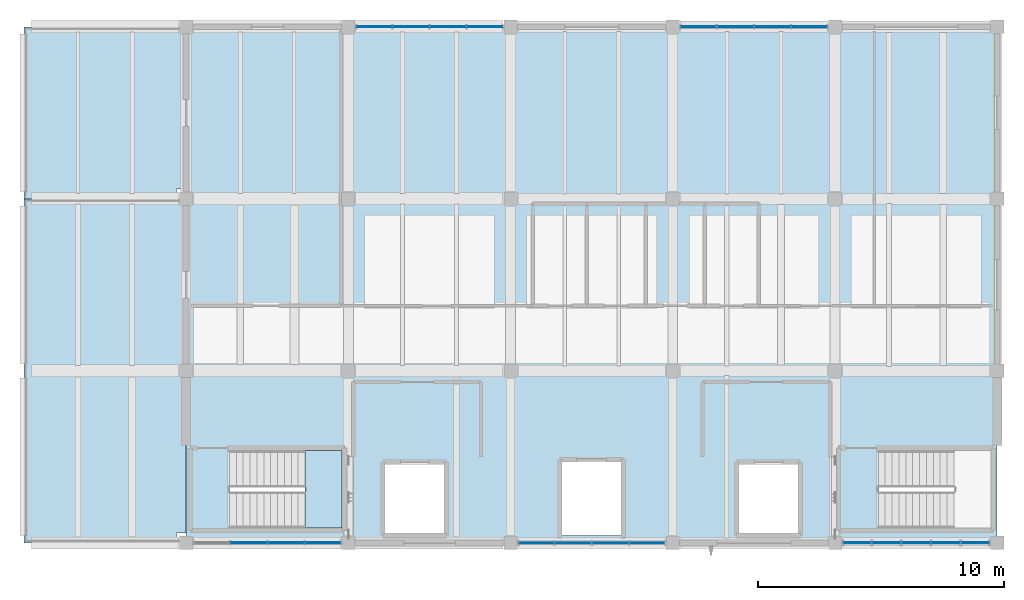
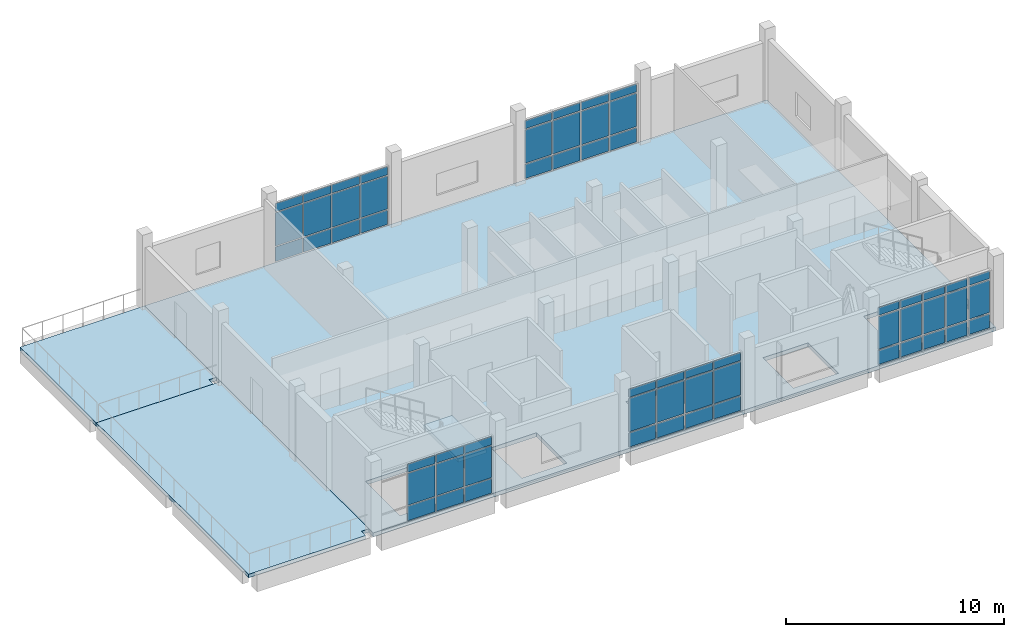
# One storey, part 6 of 12: 60 plates, 4 slabs, 6 elements without a shape of their own.
"""IFC4 building model written with IfcOpenShell, lengths in metres."""

from ifc_helpers import new_model, si_unit, direction, frame, origin, origin_2d, place, context, subcontext, project, spatial, polyline, rectangle, outline, extrude, material, layer, layer_set, type_object, element, aggregate, save


model = new_model("IFC4")

# Units and contexts
model_context = context("Model", 3, precision=1e-05, world=origin(), true_north=direction((0.0, 1.0)))
body_context = subcontext(model_context, "Body", "Model", "MODEL_VIEW")
ifc_project = project(units=[si_unit("LENGTHUNIT", "METRE"), si_unit("AREAUNIT", "SQUARE_METRE"), si_unit("VOLUMEUNIT", "CUBIC_METRE"), si_unit("PLANEANGLEUNIT", "RADIAN"), si_unit("MASSUNIT", "GRAM", prefix="KILO")], contexts=[model_context])

# Site, building, storey
site_placement = place(None, origin())
site = spatial("IfcSite", under=ifc_project, at=site_placement, CompositionType="ELEMENT")
building_placement = place(site_placement, origin())
building = spatial("IfcBuilding", under=site, at=building_placement, Name="Ciguamira Faculty of Natural Sciences", CompositionType="ELEMENT")
storey_placement = place(building_placement, frame((0.0, 0.0, 37.800048828125)))
storey = spatial("IfcBuildingStorey", under=building, at=storey_placement, Name="L09", CompositionType="ELEMENT", Elevation=37.800048828125)

# Curtain wall, plates
ifc_material_1 = material(Name="Anodized aluminium curtain wall", Category="aluminium")
curtain_wall_type_1 = type_object("IfcCurtainWallType", Name="CurtainWall_CW-05", PredefinedType="USERDEFINED", material=ifc_material_1)
curtain_wall_1_placement = place(storey_placement, origin())
curtain_wall_1 = element("IfcCurtainWall", 1, at=curtain_wall_1_placement, inside=storey, type_object=curtain_wall_type_1, Name="L09 unitised curtain wall 0161", ObjectType="UNITISED CURTAIN WALL", PredefinedType="USERDEFINED")
ifc_material_2 = material(Name="Low-E laminated solar glass", Category="glass")
ifc_layer_1 = layer(ifc_material_2, 0.028076171875, Name="Low-E laminated solar glass")
ifc_layer_set_1 = layer_set([ifc_layer_1], Name="Low-E laminated solar glass")
plate_type_1 = type_object("IfcPlateType", Name="CWPanel_CWP-01", PredefinedType="CURTAIN_PANEL", material=ifc_layer_set_1)
plate_1_placement = place(storey_placement, frame((84.748779296875, 94.0, 0.070068359375), z_axis=(0.0, 0.0, 1.0), x_axis=(1.0, 0.0, 0.0)))
plate_1 = element("IfcPlate", 2, at=plate_1_placement, type_object=plate_type_1, Name="CW-05 panel 1.1", PredefinedType="CURTAIN_PANEL", context=body_context, shape_type="SweptSolid", body=[
    extrude(rectangle(XDim=1.407470703125, YDim=0.028076171875, at=origin_2d()), origin(), (0.0, 0.0, 1.0), 0.794921875),
])
plate_2_placement = place(storey_placement, frame((84.748779296875, 94.0, 0.93505859375), z_axis=(0.0, 0.0, 1.0), x_axis=(1.0, 0.0, 0.0)))
plate_2 = element("IfcPlate", 3, at=plate_2_placement, type_object=plate_type_1, Name="CW-05 panel 1.2", PredefinedType="CURTAIN_PANEL", context=body_context, shape_type="SweptSolid", body=[
    extrude(rectangle(XDim=1.407470703125, YDim=0.028076171875, at=origin_2d()), origin(), (0.0, 0.0, 1.0), 1.864990234375),
])
plate_3_placement = place(storey_placement, frame((84.748779296875, 94.0, 2.8701171875), z_axis=(0.0, 0.0, 1.0), x_axis=(1.0, 0.0, 0.0)))
plate_3 = element("IfcPlate", 4, at=plate_3_placement, type_object=plate_type_1, Name="CW-05 panel 1.3", PredefinedType="CURTAIN_PANEL", context=body_context, shape_type="SweptSolid", body=[
    extrude(rectangle(XDim=1.407470703125, YDim=0.028076171875, at=origin_2d()), origin(), (0.0, 0.0, 1.0), 0.445068359375),
])
plate_4_placement = place(storey_placement, frame((86.24365234375, 94.0, 0.070068359375), z_axis=(0.0, 0.0, 1.0), x_axis=(1.0, 0.0, 0.0)))
plate_4 = element("IfcPlate", 5, at=plate_4_placement, type_object=plate_type_1, Name="CW-05 panel 2.1", PredefinedType="CURTAIN_PANEL", context=body_context, shape_type="SweptSolid", body=[
    extrude(rectangle(XDim=1.4423828125, YDim=0.028076171875, at=origin_2d()), origin(), (0.0, 0.0, 1.0), 0.794921875),
])
plate_5_placement = place(storey_placement, frame((86.24365234375, 94.0, 0.93505859375), z_axis=(0.0, 0.0, 1.0), x_axis=(1.0, 0.0, 0.0)))
plate_5 = element("IfcPlate", 6, at=plate_5_placement, type_object=plate_type_1, Name="CW-05 panel 2.2", PredefinedType="CURTAIN_PANEL", context=body_context, shape_type="SweptSolid", body=[
    extrude(rectangle(XDim=1.4423828125, YDim=0.028076171875, at=origin_2d()), origin(), (0.0, 0.0, 1.0), 1.864990234375),
])
plate_6_placement = place(storey_placement, frame((86.24365234375, 94.0, 2.8701171875), z_axis=(0.0, 0.0, 1.0), x_axis=(1.0, 0.0, 0.0)))
plate_6 = element("IfcPlate", 7, at=plate_6_placement, type_object=plate_type_1, Name="CW-05 panel 2.3", PredefinedType="CURTAIN_PANEL", context=body_context, shape_type="SweptSolid", body=[
    extrude(rectangle(XDim=1.4423828125, YDim=0.028076171875, at=origin_2d()), origin(), (0.0, 0.0, 1.0), 0.445068359375),
])
plate_7_placement = place(storey_placement, frame((87.75634765625, 94.0, 0.070068359375), z_axis=(0.0, 0.0, 1.0), x_axis=(1.0, 0.0, 0.0)))
plate_7 = element("IfcPlate", 8, at=plate_7_placement, type_object=plate_type_1, Name="CW-05 panel 3.1", PredefinedType="CURTAIN_PANEL", context=body_context, shape_type="SweptSolid", body=[
    extrude(rectangle(XDim=1.4423828125, YDim=0.028076171875, at=origin_2d()), origin(), (0.0, 0.0, 1.0), 0.794921875),
])
plate_8_placement = place(storey_placement, frame((87.75634765625, 94.0, 0.93505859375), z_axis=(0.0, 0.0, 1.0), x_axis=(1.0, 0.0, 0.0)))
plate_8 = element("IfcPlate", 9, at=plate_8_placement, type_object=plate_type_1, Name="CW-05 panel 3.2", PredefinedType="CURTAIN_PANEL", context=body_context, shape_type="SweptSolid", body=[
    extrude(rectangle(XDim=1.4423828125, YDim=0.028076171875, at=origin_2d()), origin(), (0.0, 0.0, 1.0), 1.864990234375),
])
plate_9_placement = place(storey_placement, frame((87.75634765625, 94.0, 2.8701171875), z_axis=(0.0, 0.0, 1.0), x_axis=(1.0, 0.0, 0.0)))
plate_9 = element("IfcPlate", 10, at=plate_9_placement, type_object=plate_type_1, Name="CW-05 panel 3.3", PredefinedType="CURTAIN_PANEL", context=body_context, shape_type="SweptSolid", body=[
    extrude(rectangle(XDim=1.4423828125, YDim=0.028076171875, at=origin_2d()), origin(), (0.0, 0.0, 1.0), 0.445068359375),
])
plate_10_placement = place(storey_placement, frame((89.251220703125, 94.0, 0.070068359375), z_axis=(0.0, 0.0, 1.0), x_axis=(1.0, 0.0, 0.0)))
plate_10 = element("IfcPlate", 11, at=plate_10_placement, type_object=plate_type_1, Name="CW-05 panel 4.1", PredefinedType="CURTAIN_PANEL", context=body_context, shape_type="SweptSolid", body=[
    extrude(rectangle(XDim=1.407470703125, YDim=0.028076171875, at=origin_2d()), origin(), (0.0, 0.0, 1.0), 0.794921875),
])
plate_11_placement = place(storey_placement, frame((89.251220703125, 94.0, 0.93505859375), z_axis=(0.0, 0.0, 1.0), x_axis=(1.0, 0.0, 0.0)))
plate_11 = element("IfcPlate", 12, at=plate_11_placement, type_object=plate_type_1, Name="CW-05 panel 4.2", PredefinedType="CURTAIN_PANEL", context=body_context, shape_type="SweptSolid", body=[
    extrude(rectangle(XDim=1.407470703125, YDim=0.028076171875, at=origin_2d()), origin(), (0.0, 0.0, 1.0), 1.864990234375),
])
plate_12_placement = place(storey_placement, frame((89.251220703125, 94.0, 2.8701171875), z_axis=(0.0, 0.0, 1.0), x_axis=(1.0, 0.0, 0.0)))
plate_12 = element("IfcPlate", 13, at=plate_12_placement, type_object=plate_type_1, Name="CW-05 panel 4.3", PredefinedType="CURTAIN_PANEL", context=body_context, shape_type="SweptSolid", body=[
    extrude(rectangle(XDim=1.407470703125, YDim=0.028076171875, at=origin_2d()), origin(), (0.0, 0.0, 1.0), 0.445068359375),
])
aggregate(curtain_wall_1, [plate_1, plate_2, plate_3, plate_4, plate_5, plate_6, plate_7, plate_8, plate_9, plate_10, plate_11, plate_12])

curtain_wall_type_2 = type_object("IfcCurtainWallType", Name="CurtainWall_CW-07", PredefinedType="USERDEFINED", material=ifc_material_1)
curtain_wall_2_placement = place(storey_placement, origin())
curtain_wall_2 = element("IfcCurtainWall", 14, at=curtain_wall_2_placement, inside=storey, type_object=curtain_wall_type_2, Name="L09 unitised curtain wall 0163", ObjectType="UNITISED CURTAIN WALL", PredefinedType="USERDEFINED")
plate_13_placement = place(storey_placement, frame((78.146240234375, 115.0, 0.059814453125), z_axis=(0.0, 0.0, 1.0), x_axis=(1.0, 0.0, 0.0)))
plate_13 = element("IfcPlate", 15, at=plate_13_placement, type_object=plate_type_1, Name="CW-07 panel 1.1", PredefinedType="CURTAIN_PANEL", context=body_context, shape_type="SweptSolid", body=[
    extrude(rectangle(XDim=1.422607421875, YDim=0.028076171875, at=origin_2d()), origin(), (0.0, 0.0, 1.0), 0.81005859375),
])
plate_14_placement = place(storey_placement, frame((78.146240234375, 115.0, 0.929931640625), z_axis=(0.0, 0.0, 1.0), x_axis=(1.0, 0.0, 0.0)))
plate_14 = element("IfcPlate", 16, at=plate_14_placement, type_object=plate_type_1, Name="CW-07 panel 1.2", PredefinedType="CURTAIN_PANEL", context=body_context, shape_type="SweptSolid", body=[
    extrude(rectangle(XDim=1.422607421875, YDim=0.028076171875, at=origin_2d()), origin(), (0.0, 0.0, 1.0), 1.85498046875),
])
plate_15_placement = place(storey_placement, frame((78.146240234375, 115.0, 2.844970703125), z_axis=(0.0, 0.0, 1.0), x_axis=(1.0, 0.0, 0.0)))
plate_15 = element("IfcPlate", 17, at=plate_15_placement, type_object=plate_type_1, Name="CW-07 panel 1.3", PredefinedType="CURTAIN_PANEL", context=body_context, shape_type="SweptSolid", body=[
    extrude(rectangle(XDim=1.422607421875, YDim=0.028076171875, at=origin_2d()), origin(), (0.0, 0.0, 1.0), 0.4599609375),
])
plate_16_placement = place(storey_placement, frame((79.643798828125, 115.0, 0.059814453125), z_axis=(0.0, 0.0, 1.0), x_axis=(1.0, 0.0, 0.0)))
plate_16 = element("IfcPlate", 18, at=plate_16_placement, type_object=plate_type_1, Name="CW-07 panel 2.1", PredefinedType="CURTAIN_PANEL", context=body_context, shape_type="SweptSolid", body=[
    extrude(rectangle(XDim=1.452392578125, YDim=0.028076171875, at=origin_2d()), origin(), (0.0, 0.0, 1.0), 0.81005859375),
])
plate_17_placement = place(storey_placement, frame((79.643798828125, 115.0, 0.929931640625), z_axis=(0.0, 0.0, 1.0), x_axis=(1.0, 0.0, 0.0)))
plate_17 = element("IfcPlate", 19, at=plate_17_placement, type_object=plate_type_1, Name="CW-07 panel 2.2", PredefinedType="CURTAIN_PANEL", context=body_context, shape_type="SweptSolid", body=[
    extrude(rectangle(XDim=1.452392578125, YDim=0.028076171875, at=origin_2d()), origin(), (0.0, 0.0, 1.0), 1.85498046875),
])
plate_18_placement = place(storey_placement, frame((79.643798828125, 115.0, 2.844970703125), z_axis=(0.0, 0.0, 1.0), x_axis=(1.0, 0.0, 0.0)))
plate_18 = element("IfcPlate", 20, at=plate_18_placement, type_object=plate_type_1, Name="CW-07 panel 2.3", PredefinedType="CURTAIN_PANEL", context=body_context, shape_type="SweptSolid", body=[
    extrude(rectangle(XDim=1.452392578125, YDim=0.028076171875, at=origin_2d()), origin(), (0.0, 0.0, 1.0), 0.4599609375),
])
plate_19_placement = place(storey_placement, frame((81.15625, 115.0, 0.059814453125), z_axis=(0.0, 0.0, 1.0), x_axis=(1.0, 0.0, 0.0)))
plate_19 = element("IfcPlate", 21, at=plate_19_placement, type_object=plate_type_1, Name="CW-07 panel 3.1", PredefinedType="CURTAIN_PANEL", context=body_context, shape_type="SweptSolid", body=[
    extrude(rectangle(XDim=1.452392578125, YDim=0.028076171875, at=origin_2d()), origin(), (0.0, 0.0, 1.0), 0.81005859375),
])
plate_20_placement = place(storey_placement, frame((81.15625, 115.0, 0.929931640625), z_axis=(0.0, 0.0, 1.0), x_axis=(1.0, 0.0, 0.0)))
plate_20 = element("IfcPlate", 22, at=plate_20_placement, type_object=plate_type_1, Name="CW-07 panel 3.2", PredefinedType="CURTAIN_PANEL", context=body_context, shape_type="SweptSolid", body=[
    extrude(rectangle(XDim=1.452392578125, YDim=0.028076171875, at=origin_2d()), origin(), (0.0, 0.0, 1.0), 1.85498046875),
])
plate_21_placement = place(storey_placement, frame((81.15625, 115.0, 2.844970703125), z_axis=(0.0, 0.0, 1.0), x_axis=(1.0, 0.0, 0.0)))
plate_21 = element("IfcPlate", 23, at=plate_21_placement, type_object=plate_type_1, Name="CW-07 panel 3.3", PredefinedType="CURTAIN_PANEL", context=body_context, shape_type="SweptSolid", body=[
    extrude(rectangle(XDim=1.452392578125, YDim=0.028076171875, at=origin_2d()), origin(), (0.0, 0.0, 1.0), 0.4599609375),
])
plate_22_placement = place(storey_placement, frame((82.65380859375, 115.0, 0.059814453125), z_axis=(0.0, 0.0, 1.0), x_axis=(1.0, 0.0, 0.0)))
plate_22 = element("IfcPlate", 24, at=plate_22_placement, type_object=plate_type_1, Name="CW-07 panel 4.1", PredefinedType="CURTAIN_PANEL", context=body_context, shape_type="SweptSolid", body=[
    extrude(rectangle(XDim=1.422607421875, YDim=0.028076171875, at=origin_2d()), origin(), (0.0, 0.0, 1.0), 0.81005859375),
])
plate_23_placement = place(storey_placement, frame((82.65380859375, 115.0, 0.929931640625), z_axis=(0.0, 0.0, 1.0), x_axis=(1.0, 0.0, 0.0)))
plate_23 = element("IfcPlate", 25, at=plate_23_placement, type_object=plate_type_1, Name="CW-07 panel 4.2", PredefinedType="CURTAIN_PANEL", context=body_context, shape_type="SweptSolid", body=[
    extrude(rectangle(XDim=1.422607421875, YDim=0.028076171875, at=origin_2d()), origin(), (0.0, 0.0, 1.0), 1.85498046875),
])
plate_24_placement = place(storey_placement, frame((82.65380859375, 115.0, 2.844970703125), z_axis=(0.0, 0.0, 1.0), x_axis=(1.0, 0.0, 0.0)))
plate_24 = element("IfcPlate", 26, at=plate_24_placement, type_object=plate_type_1, Name="CW-07 panel 4.3", PredefinedType="CURTAIN_PANEL", context=body_context, shape_type="SweptSolid", body=[
    extrude(rectangle(XDim=1.422607421875, YDim=0.028076171875, at=origin_2d()), origin(), (0.0, 0.0, 1.0), 0.4599609375),
])
aggregate(curtain_wall_2, [plate_13, plate_14, plate_15, plate_16, plate_17, plate_18, plate_19, plate_20, plate_21, plate_22, plate_23, plate_24])

curtain_wall_type_3 = type_object("IfcCurtainWallType", Name="CurtainWall_CW-04", PredefinedType="USERDEFINED", material=ifc_material_1)
curtain_wall_3_placement = place(storey_placement, origin())
curtain_wall_3 = element("IfcCurtainWall", 27, at=curtain_wall_3_placement, inside=storey, type_object=curtain_wall_type_3, Name="L09 unitised curtain wall 0160", ObjectType="UNITISED CURTAIN WALL", PredefinedType="USERDEFINED")
ifc_layer_2 = layer(ifc_material_2, 0.035888671875, Name="Low-E laminated solar glass")
ifc_layer_set_2 = layer_set([ifc_layer_2], Name="Low-E laminated solar glass")
plate_type_2 = type_object("IfcPlateType", Name="CWPanel_CWP-02", PredefinedType="CURTAIN_PANEL", material=ifc_layer_set_2)
plate_25_placement = place(storey_placement, frame((73.043701171875, 94.0, 0.059814453125), z_axis=(0.0, 0.0, 1.0), x_axis=(1.0, 0.0, 0.0)))
plate_25 = element("IfcPlate", 28, at=plate_25_placement, type_object=plate_type_2, Name="CW-04 panel 2.1", PredefinedType="CURTAIN_PANEL", context=body_context, shape_type="SweptSolid", body=[
    extrude(rectangle(XDim=1.452392578125, YDim=0.035888671875, at=origin_2d()), origin(), (0.0, 0.0, 1.0), 0.81005859375),
])
plate_26_placement = place(storey_placement, frame((73.043701171875, 94.0, 0.929931640625), z_axis=(0.0, 0.0, 1.0), x_axis=(1.0, 0.0, 0.0)))
plate_26 = element("IfcPlate", 29, at=plate_26_placement, type_object=plate_type_2, Name="CW-04 panel 2.2", PredefinedType="CURTAIN_PANEL", context=body_context, shape_type="SweptSolid", body=[
    extrude(rectangle(XDim=1.452392578125, YDim=0.035888671875, at=origin_2d()), origin(), (0.0, 0.0, 1.0), 1.77490234375),
])
plate_27_placement = place(storey_placement, frame((73.043701171875, 94.0, 2.764892578125), z_axis=(0.0, 0.0, 1.0), x_axis=(1.0, 0.0, 0.0)))
plate_27 = element("IfcPlate", 30, at=plate_27_placement, type_object=plate_type_2, Name="CW-04 panel 2.3", PredefinedType="CURTAIN_PANEL", context=body_context, shape_type="SweptSolid", body=[
    extrude(rectangle(XDim=1.452392578125, YDim=0.035888671875, at=origin_2d()), origin(), (0.0, 0.0, 1.0), 0.4599609375),
])
plate_28_placement = place(storey_placement, frame((74.55615234375, 94.0, 0.059814453125), z_axis=(0.0, 0.0, 1.0), x_axis=(1.0, 0.0, 0.0)))
plate_28 = element("IfcPlate", 31, at=plate_28_placement, type_object=plate_type_2, Name="CW-04 panel 3.1", PredefinedType="CURTAIN_PANEL", context=body_context, shape_type="SweptSolid", body=[
    extrude(rectangle(XDim=1.452392578125, YDim=0.035888671875, at=origin_2d()), origin(), (0.0, 0.0, 1.0), 0.81005859375),
])
plate_29_placement = place(storey_placement, frame((74.55615234375, 94.0, 0.929931640625), z_axis=(0.0, 0.0, 1.0), x_axis=(1.0, 0.0, 0.0)))
plate_29 = element("IfcPlate", 32, at=plate_29_placement, type_object=plate_type_2, Name="CW-04 panel 3.2", PredefinedType="CURTAIN_PANEL", context=body_context, shape_type="SweptSolid", body=[
    extrude(rectangle(XDim=1.452392578125, YDim=0.035888671875, at=origin_2d()), origin(), (0.0, 0.0, 1.0), 1.77490234375),
])
plate_30_placement = place(storey_placement, frame((74.55615234375, 94.0, 2.764892578125), z_axis=(0.0, 0.0, 1.0), x_axis=(1.0, 0.0, 0.0)))
plate_30 = element("IfcPlate", 33, at=plate_30_placement, type_object=plate_type_2, Name="CW-04 panel 3.3", PredefinedType="CURTAIN_PANEL", context=body_context, shape_type="SweptSolid", body=[
    extrude(rectangle(XDim=1.452392578125, YDim=0.035888671875, at=origin_2d()), origin(), (0.0, 0.0, 1.0), 0.4599609375),
])
plate_31_placement = place(storey_placement, frame((76.0537109375, 94.0, 0.059814453125), z_axis=(0.0, 0.0, 1.0), x_axis=(1.0, 0.0, 0.0)))
plate_31 = element("IfcPlate", 34, at=plate_31_placement, type_object=plate_type_2, Name="CW-04 panel 4.1", PredefinedType="CURTAIN_PANEL", context=body_context, shape_type="SweptSolid", body=[
    extrude(rectangle(XDim=1.422607421875, YDim=0.035888671875, at=origin_2d()), origin(), (0.0, 0.0, 1.0), 0.81005859375),
])
plate_32_placement = place(storey_placement, frame((76.0537109375, 94.0, 0.929931640625), z_axis=(0.0, 0.0, 1.0), x_axis=(1.0, 0.0, 0.0)))
plate_32 = element("IfcPlate", 35, at=plate_32_placement, type_object=plate_type_2, Name="CW-04 panel 4.2", PredefinedType="CURTAIN_PANEL", context=body_context, shape_type="SweptSolid", body=[
    extrude(rectangle(XDim=1.422607421875, YDim=0.035888671875, at=origin_2d()), origin(), (0.0, 0.0, 1.0), 1.77490234375),
])
plate_33_placement = place(storey_placement, frame((76.0537109375, 94.0, 2.764892578125), z_axis=(0.0, 0.0, 1.0), x_axis=(1.0, 0.0, 0.0)))
plate_33 = element("IfcPlate", 36, at=plate_33_placement, type_object=plate_type_2, Name="CW-04 panel 4.3", PredefinedType="CURTAIN_PANEL", context=body_context, shape_type="SweptSolid", body=[
    extrude(rectangle(XDim=1.422607421875, YDim=0.035888671875, at=origin_2d()), origin(), (0.0, 0.0, 1.0), 0.4599609375),
])
aggregate(curtain_wall_3, [plate_25, plate_26, plate_27, plate_28, plate_29, plate_30, plate_31, plate_32, plate_33])

curtain_wall_type_4 = type_object("IfcCurtainWallType", Name="CurtainWall_CW-06", PredefinedType="USERDEFINED", material=ifc_material_1)
curtain_wall_4_placement = place(storey_placement, origin())
curtain_wall_4 = element("IfcCurtainWall", 37, at=curtain_wall_4_placement, inside=storey, type_object=curtain_wall_type_4, Name="L09 unitised curtain wall 0162", ObjectType="UNITISED CURTAIN WALL", PredefinedType="USERDEFINED")
plate_34_placement = place(storey_placement, frame((97.800048828125, 94.0, 0.080078125), z_axis=(0.0, 0.0, 1.0), x_axis=(1.0, 0.0, 0.0)))
plate_34 = element("IfcPlate", 38, at=plate_34_placement, type_object=plate_type_2, Name="CW-06 panel 1.1", PredefinedType="CURTAIN_PANEL", context=body_context, shape_type="SweptSolid", body=[
    extrude(rectangle(XDim=1.090087890625, YDim=0.035888671875, at=origin_2d()), origin(), (0.0, 0.0, 1.0), 0.780029296875),
])
plate_35_placement = place(storey_placement, frame((97.800048828125, 94.0, 0.93994140625), z_axis=(0.0, 0.0, 1.0), x_axis=(1.0, 0.0, 0.0)))
plate_35 = element("IfcPlate", 39, at=plate_35_placement, type_object=plate_type_2, Name="CW-06 panel 1.2", PredefinedType="CURTAIN_PANEL", context=body_context, shape_type="SweptSolid", body=[
    extrude(rectangle(XDim=1.090087890625, YDim=0.035888671875, at=origin_2d()), origin(), (0.0, 0.0, 1.0), 1.81494140625),
])
plate_36_placement = place(storey_placement, frame((97.800048828125, 94.0, 2.8349609375), z_axis=(0.0, 0.0, 1.0), x_axis=(1.0, 0.0, 0.0)))
plate_36 = element("IfcPlate", 40, at=plate_36_placement, type_object=plate_type_2, Name="CW-06 panel 1.3", PredefinedType="CURTAIN_PANEL", context=body_context, shape_type="SweptSolid", body=[
    extrude(rectangle(XDim=1.090087890625, YDim=0.035888671875, at=origin_2d()), origin(), (0.0, 0.0, 1.0), 0.429931640625),
])
plate_37_placement = place(storey_placement, frame((98.989990234375, 94.0, 0.080078125), z_axis=(0.0, 0.0, 1.0), x_axis=(1.0, 0.0, 0.0)))
plate_37 = element("IfcPlate", 41, at=plate_37_placement, type_object=plate_type_2, Name="CW-06 panel 2.1", PredefinedType="CURTAIN_PANEL", context=body_context, shape_type="SweptSolid", body=[
    extrude(rectangle(XDim=1.1298828125, YDim=0.035888671875, at=origin_2d()), origin(), (0.0, 0.0, 1.0), 0.780029296875),
])
plate_38_placement = place(storey_placement, frame((98.989990234375, 94.0, 0.93994140625), z_axis=(0.0, 0.0, 1.0), x_axis=(1.0, 0.0, 0.0)))
plate_38 = element("IfcPlate", 42, at=plate_38_placement, type_object=plate_type_2, Name="CW-06 panel 2.2", PredefinedType="CURTAIN_PANEL", context=body_context, shape_type="SweptSolid", body=[
    extrude(rectangle(XDim=1.1298828125, YDim=0.035888671875, at=origin_2d()), origin(), (0.0, 0.0, 1.0), 1.81494140625),
])
plate_39_placement = place(storey_placement, frame((98.989990234375, 94.0, 2.8349609375), z_axis=(0.0, 0.0, 1.0), x_axis=(1.0, 0.0, 0.0)))
plate_39 = element("IfcPlate", 43, at=plate_39_placement, type_object=plate_type_2, Name="CW-06 panel 2.3", PredefinedType="CURTAIN_PANEL", context=body_context, shape_type="SweptSolid", body=[
    extrude(rectangle(XDim=1.1298828125, YDim=0.035888671875, at=origin_2d()), origin(), (0.0, 0.0, 1.0), 0.429931640625),
])
plate_40_placement = place(storey_placement, frame((100.199951171875, 94.0, 0.080078125), z_axis=(0.0, 0.0, 1.0), x_axis=(1.0, 0.0, 0.0)))
plate_40 = element("IfcPlate", 44, at=plate_40_placement, type_object=plate_type_2, Name="CW-06 panel 3.1", PredefinedType="CURTAIN_PANEL", context=body_context, shape_type="SweptSolid", body=[
    extrude(rectangle(XDim=1.1298828125, YDim=0.035888671875, at=origin_2d()), origin(), (0.0, 0.0, 1.0), 0.780029296875),
])
plate_41_placement = place(storey_placement, frame((100.199951171875, 94.0, 0.93994140625), z_axis=(0.0, 0.0, 1.0), x_axis=(1.0, 0.0, 0.0)))
plate_41 = element("IfcPlate", 45, at=plate_41_placement, type_object=plate_type_2, Name="CW-06 panel 3.2", PredefinedType="CURTAIN_PANEL", context=body_context, shape_type="SweptSolid", body=[
    extrude(rectangle(XDim=1.1298828125, YDim=0.035888671875, at=origin_2d()), origin(), (0.0, 0.0, 1.0), 1.81494140625),
])
plate_42_placement = place(storey_placement, frame((100.199951171875, 94.0, 2.8349609375), z_axis=(0.0, 0.0, 1.0), x_axis=(1.0, 0.0, 0.0)))
plate_42 = element("IfcPlate", 46, at=plate_42_placement, type_object=plate_type_2, Name="CW-06 panel 3.3", PredefinedType="CURTAIN_PANEL", context=body_context, shape_type="SweptSolid", body=[
    extrude(rectangle(XDim=1.1298828125, YDim=0.035888671875, at=origin_2d()), origin(), (0.0, 0.0, 1.0), 0.429931640625),
])
plate_43_placement = place(storey_placement, frame((101.409912109375, 94.0, 0.080078125), z_axis=(0.0, 0.0, 1.0), x_axis=(1.0, 0.0, 0.0)))
plate_43 = element("IfcPlate", 47, at=plate_43_placement, type_object=plate_type_2, Name="CW-06 panel 4.1", PredefinedType="CURTAIN_PANEL", context=body_context, shape_type="SweptSolid", body=[
    extrude(rectangle(XDim=1.1298828125, YDim=0.035888671875, at=origin_2d()), origin(), (0.0, 0.0, 1.0), 0.780029296875),
])
plate_44_placement = place(storey_placement, frame((101.409912109375, 94.0, 0.93994140625), z_axis=(0.0, 0.0, 1.0), x_axis=(1.0, 0.0, 0.0)))
plate_44 = element("IfcPlate", 48, at=plate_44_placement, type_object=plate_type_2, Name="CW-06 panel 4.2", PredefinedType="CURTAIN_PANEL", context=body_context, shape_type="SweptSolid", body=[
    extrude(rectangle(XDim=1.1298828125, YDim=0.035888671875, at=origin_2d()), origin(), (0.0, 0.0, 1.0), 1.81494140625),
])
plate_45_placement = place(storey_placement, frame((101.409912109375, 94.0, 2.8349609375), z_axis=(0.0, 0.0, 1.0), x_axis=(1.0, 0.0, 0.0)))
plate_45 = element("IfcPlate", 49, at=plate_45_placement, type_object=plate_type_2, Name="CW-06 panel 4.3", PredefinedType="CURTAIN_PANEL", context=body_context, shape_type="SweptSolid", body=[
    extrude(rectangle(XDim=1.1298828125, YDim=0.035888671875, at=origin_2d()), origin(), (0.0, 0.0, 1.0), 0.429931640625),
])
plate_46_placement = place(storey_placement, frame((102.60009765625, 94.0, 0.080078125), z_axis=(0.0, 0.0, 1.0), x_axis=(1.0, 0.0, 0.0)))
plate_46 = element("IfcPlate", 50, at=plate_46_placement, type_object=plate_type_2, Name="CW-06 panel 5.1", PredefinedType="CURTAIN_PANEL", context=body_context, shape_type="SweptSolid", body=[
    extrude(rectangle(XDim=1.090087890625, YDim=0.035888671875, at=origin_2d()), origin(), (0.0, 0.0, 1.0), 0.780029296875),
])
plate_47_placement = place(storey_placement, frame((102.60009765625, 94.0, 0.93994140625), z_axis=(0.0, 0.0, 1.0), x_axis=(1.0, 0.0, 0.0)))
plate_47 = element("IfcPlate", 51, at=plate_47_placement, type_object=plate_type_2, Name="CW-06 panel 5.2", PredefinedType="CURTAIN_PANEL", context=body_context, shape_type="SweptSolid", body=[
    extrude(rectangle(XDim=1.090087890625, YDim=0.035888671875, at=origin_2d()), origin(), (0.0, 0.0, 1.0), 1.81494140625),
])
plate_48_placement = place(storey_placement, frame((102.60009765625, 94.0, 2.8349609375), z_axis=(0.0, 0.0, 1.0), x_axis=(1.0, 0.0, 0.0)))
plate_48 = element("IfcPlate", 52, at=plate_48_placement, type_object=plate_type_2, Name="CW-06 panel 5.3", PredefinedType="CURTAIN_PANEL", context=body_context, shape_type="SweptSolid", body=[
    extrude(rectangle(XDim=1.090087890625, YDim=0.035888671875, at=origin_2d()), origin(), (0.0, 0.0, 1.0), 0.429931640625),
])
aggregate(curtain_wall_4, [plate_34, plate_35, plate_36, plate_37, plate_38, plate_39, plate_40, plate_41, plate_42, plate_43, plate_44, plate_45, plate_46, plate_47, plate_48])

curtain_wall_type_5 = type_object("IfcCurtainWallType", Name="CurtainWall_CW-08", PredefinedType="USERDEFINED", material=ifc_material_1)
curtain_wall_5_placement = place(storey_placement, origin())
curtain_wall_5 = element("IfcCurtainWall", 53, at=curtain_wall_5_placement, inside=storey, type_object=curtain_wall_type_5, Name="L09 unitised curtain wall 0164", ObjectType="UNITISED CURTAIN WALL", PredefinedType="USERDEFINED")
plate_49_placement = place(storey_placement, frame((91.3486328125, 115.0, 0.070068359375), z_axis=(0.0, 0.0, 1.0), x_axis=(1.0, 0.0, 0.0)))
plate_49 = element("IfcPlate", 54, at=plate_49_placement, type_object=plate_type_2, Name="CW-08 panel 1.1", PredefinedType="CURTAIN_PANEL", context=body_context, shape_type="SweptSolid", body=[
    extrude(rectangle(XDim=1.407470703125, YDim=0.035888671875, at=origin_2d()), origin(), (0.0, 0.0, 1.0), 0.794921875),
])
plate_50_placement = place(storey_placement, frame((91.3486328125, 115.0, 0.93505859375), z_axis=(0.0, 0.0, 1.0), x_axis=(1.0, 0.0, 0.0)))
plate_50 = element("IfcPlate", 55, at=plate_50_placement, type_object=plate_type_2, Name="CW-08 panel 1.2", PredefinedType="CURTAIN_PANEL", context=body_context, shape_type="SweptSolid", body=[
    extrude(rectangle(XDim=1.407470703125, YDim=0.035888671875, at=origin_2d()), origin(), (0.0, 0.0, 1.0), 1.864990234375),
])
plate_51_placement = place(storey_placement, frame((91.3486328125, 115.0, 2.8701171875), z_axis=(0.0, 0.0, 1.0), x_axis=(1.0, 0.0, 0.0)))
plate_51 = element("IfcPlate", 56, at=plate_51_placement, type_object=plate_type_2, Name="CW-08 panel 1.3", PredefinedType="CURTAIN_PANEL", context=body_context, shape_type="SweptSolid", body=[
    extrude(rectangle(XDim=1.407470703125, YDim=0.035888671875, at=origin_2d()), origin(), (0.0, 0.0, 1.0), 0.445068359375),
])
plate_52_placement = place(storey_placement, frame((92.84375, 115.0, 0.070068359375), z_axis=(0.0, 0.0, 1.0), x_axis=(1.0, 0.0, 0.0)))
plate_52 = element("IfcPlate", 57, at=plate_52_placement, type_object=plate_type_2, Name="CW-08 panel 2.1", PredefinedType="CURTAIN_PANEL", context=body_context, shape_type="SweptSolid", body=[
    extrude(rectangle(XDim=1.4423828125, YDim=0.035888671875, at=origin_2d()), origin(), (0.0, 0.0, 1.0), 0.794921875),
])
plate_53_placement = place(storey_placement, frame((92.84375, 115.0, 0.93505859375), z_axis=(0.0, 0.0, 1.0), x_axis=(1.0, 0.0, 0.0)))
plate_53 = element("IfcPlate", 58, at=plate_53_placement, type_object=plate_type_2, Name="CW-08 panel 2.2", PredefinedType="CURTAIN_PANEL", context=body_context, shape_type="SweptSolid", body=[
    extrude(rectangle(XDim=1.4423828125, YDim=0.035888671875, at=origin_2d()), origin(), (0.0, 0.0, 1.0), 1.864990234375),
])
plate_54_placement = place(storey_placement, frame((92.84375, 115.0, 2.8701171875), z_axis=(0.0, 0.0, 1.0), x_axis=(1.0, 0.0, 0.0)))
plate_54 = element("IfcPlate", 59, at=plate_54_placement, type_object=plate_type_2, Name="CW-08 panel 2.3", PredefinedType="CURTAIN_PANEL", context=body_context, shape_type="SweptSolid", body=[
    extrude(rectangle(XDim=1.4423828125, YDim=0.035888671875, at=origin_2d()), origin(), (0.0, 0.0, 1.0), 0.445068359375),
])
plate_55_placement = place(storey_placement, frame((94.356201171875, 115.0, 0.070068359375), z_axis=(0.0, 0.0, 1.0), x_axis=(1.0, 0.0, 0.0)))
plate_55 = element("IfcPlate", 60, at=plate_55_placement, type_object=plate_type_2, Name="CW-08 panel 3.1", PredefinedType="CURTAIN_PANEL", context=body_context, shape_type="SweptSolid", body=[
    extrude(rectangle(XDim=1.4423828125, YDim=0.035888671875, at=origin_2d()), origin(), (0.0, 0.0, 1.0), 0.794921875),
])
plate_56_placement = place(storey_placement, frame((94.356201171875, 115.0, 0.93505859375), z_axis=(0.0, 0.0, 1.0), x_axis=(1.0, 0.0, 0.0)))
plate_56 = element("IfcPlate", 61, at=plate_56_placement, type_object=plate_type_2, Name="CW-08 panel 3.2", PredefinedType="CURTAIN_PANEL", context=body_context, shape_type="SweptSolid", body=[
    extrude(rectangle(XDim=1.4423828125, YDim=0.035888671875, at=origin_2d()), origin(), (0.0, 0.0, 1.0), 1.864990234375),
])
plate_57_placement = place(storey_placement, frame((94.356201171875, 115.0, 2.8701171875), z_axis=(0.0, 0.0, 1.0), x_axis=(1.0, 0.0, 0.0)))
plate_57 = element("IfcPlate", 62, at=plate_57_placement, type_object=plate_type_2, Name="CW-08 panel 3.3", PredefinedType="CURTAIN_PANEL", context=body_context, shape_type="SweptSolid", body=[
    extrude(rectangle(XDim=1.4423828125, YDim=0.035888671875, at=origin_2d()), origin(), (0.0, 0.0, 1.0), 0.445068359375),
])
plate_58_placement = place(storey_placement, frame((95.851318359375, 115.0, 0.070068359375), z_axis=(0.0, 0.0, 1.0), x_axis=(1.0, 0.0, 0.0)))
plate_58 = element("IfcPlate", 63, at=plate_58_placement, type_object=plate_type_2, Name="CW-08 panel 4.1", PredefinedType="CURTAIN_PANEL", context=body_context, shape_type="SweptSolid", body=[
    extrude(rectangle(XDim=1.407470703125, YDim=0.035888671875, at=origin_2d()), origin(), (0.0, 0.0, 1.0), 0.794921875),
])
plate_59_placement = place(storey_placement, frame((95.851318359375, 115.0, 0.93505859375), z_axis=(0.0, 0.0, 1.0), x_axis=(1.0, 0.0, 0.0)))
plate_59 = element("IfcPlate", 64, at=plate_59_placement, type_object=plate_type_2, Name="CW-08 panel 4.2", PredefinedType="CURTAIN_PANEL", context=body_context, shape_type="SweptSolid", body=[
    extrude(rectangle(XDim=1.407470703125, YDim=0.035888671875, at=origin_2d()), origin(), (0.0, 0.0, 1.0), 1.864990234375),
])
plate_60_placement = place(storey_placement, frame((95.851318359375, 115.0, 2.8701171875), z_axis=(0.0, 0.0, 1.0), x_axis=(1.0, 0.0, 0.0)))
plate_60 = element("IfcPlate", 65, at=plate_60_placement, type_object=plate_type_2, Name="CW-08 panel 4.3", PredefinedType="CURTAIN_PANEL", context=body_context, shape_type="SweptSolid", body=[
    extrude(rectangle(XDim=1.407470703125, YDim=0.035888671875, at=origin_2d()), origin(), (0.0, 0.0, 1.0), 0.445068359375),
])
aggregate(curtain_wall_5, [plate_49, plate_50, plate_51, plate_52, plate_53, plate_54, plate_55, plate_56, plate_57, plate_58, plate_59, plate_60])

# Slabs
ifc_material_3 = material(Name="Concrete C40/50", Category="concrete")
ifc_layer_3 = layer(ifc_material_3, 0.219970703125, Name="Concrete C40/50")
ifc_layer_set_3 = layer_set([ifc_layer_3], Name="Concrete C40/50")
slab_type_1 = type_object("IfcSlabType", Name="Slab_SF-06_220", PredefinedType="FLOOR", material=ifc_layer_set_3)
slab_1_placement = place(storey_placement, frame((0.0, 0.0, -0.219970703125)))
element("IfcSlab", 66, at=slab_1_placement, inside=storey, type_object=slab_type_1, Name="L09 V5 structural slab", PredefinedType="FLOOR", context=body_context, shape_type="SweptSolid", body=[
    extrude(outline(polyline([(70.5, 94.0), (103.5, 94.0), (103.5, 115.0), (70.5, 115.0), (70.5, 94.0)]), holes=[polyline([(72.260009765625, 94.60009765625), (76.85009765625, 94.60009765625), (76.85009765625, 97.760009765625), (72.260009765625, 97.760009765625), (72.260009765625, 94.60009765625)]), polyline([(98.659912109375, 94.60009765625), (103.25, 94.60009765625), (103.25, 97.760009765625), (98.659912109375, 97.760009765625), (98.659912109375, 94.60009765625)]), polyline([(78.60009765625, 94.39990234375), (81.0, 94.39990234375), (81.0, 97.199951171875), (78.60009765625, 97.199951171875), (78.60009765625, 94.39990234375)]), polyline([(93.0, 94.39990234375), (95.39990234375, 94.39990234375), (95.39990234375, 97.199951171875), (93.0, 97.199951171875), (93.0, 94.39990234375)]), polyline([(85.800048828125, 94.300048828125), (88.199951171875, 94.300048828125), (88.199951171875, 97.300048828125), (85.800048828125, 97.300048828125), (85.800048828125, 94.300048828125)])]), origin(), (0.0, 0.0, 1.0), 0.219970703125),
])
ifc_layer_4 = layer(ifc_material_3, 0.199951171875, Name="Concrete C40/50")
ifc_layer_set_4 = layer_set([ifc_layer_4], Name="Concrete C40/50")
slab_type_2 = type_object("IfcSlabType", Name="Slab_ST-01_200", PredefinedType="FLOOR", material=ifc_layer_set_4)
slab_2_placement = place(storey_placement, frame((0.0, 0.0, -0.199951171875)))
element("IfcSlab", 67, at=slab_2_placement, inside=storey, type_object=slab_type_2, Name="L09 Upper West Faculty Sky Terrace", PredefinedType="FLOOR", context=body_context, shape_type="SweptSolid", body=[
    extrude(outline(polyline([(63.89990234375, 94.0), (70.10009765625, 94.0), (70.10009765625, 94.39990234375), (70.5, 94.39990234375), (70.5, 108.0), (63.89990234375, 108.0), (63.89990234375, 94.0)])), origin(), (0.0, 0.0, 1.0), 0.199951171875),
])
slab_3_placement = place(storey_placement, frame((0.0, 0.0, -0.199951171875)))
element("IfcSlab", 68, at=slab_3_placement, inside=storey, type_object=slab_type_2, Name="L09 Upper North-West Sky Terrace", PredefinedType="FLOOR", context=body_context, shape_type="SweptSolid", body=[
    extrude(outline(polyline([(63.89990234375, 108.0), (70.10009765625, 108.0), (70.10009765625, 108.39990234375), (70.5, 108.39990234375), (70.5, 115.0), (63.89990234375, 115.0), (63.89990234375, 108.0)])), origin(), (0.0, 0.0, 1.0), 0.199951171875),
])

# Stair, slab
stair_type = type_object("IfcStairType", Name="Stair_STR-01", PredefinedType="HALF_TURN_STAIR", material=ifc_material_3)
stair_placement = place(storey_placement, origin())
stair = element("IfcStair", 69, at=stair_placement, inside=storey, type_object=stair_type, Name="L09 Tower West Exit Stair", PredefinedType="HALF_TURN_STAIR")
ifc_layer_5 = layer(ifc_material_3, 0.199951171875, Name="Concrete C40/50")
ifc_layer_set_5 = layer_set([ifc_layer_5], Name="Concrete C40/50")
slab_type_3 = type_object("IfcSlabType", Name="StairLanding_SLD01", PredefinedType="LANDING", material=ifc_layer_set_5)
slab_4_placement = place(storey_placement, frame((0.0, 0.0, 1.89990234375)))
slab_4 = element("IfcSlab", 70, at=slab_4_placement, type_object=slab_type_3, Name="ST-T1 landing 1", PredefinedType="LANDING", context=body_context, shape_type="SweptSolid", body=[
    extrude(outline(polyline([(75.340087890625, 94.60009765625), (76.85009765625, 94.60009765625), (76.85009765625, 97.760009765625), (75.340087890625, 97.760009765625), (75.340087890625, 94.60009765625)])), origin(), (0.0, 0.0, 1.0), 0.199951171875),
])
aggregate(stair, [slab_4])

save(model, "model.ifc")
